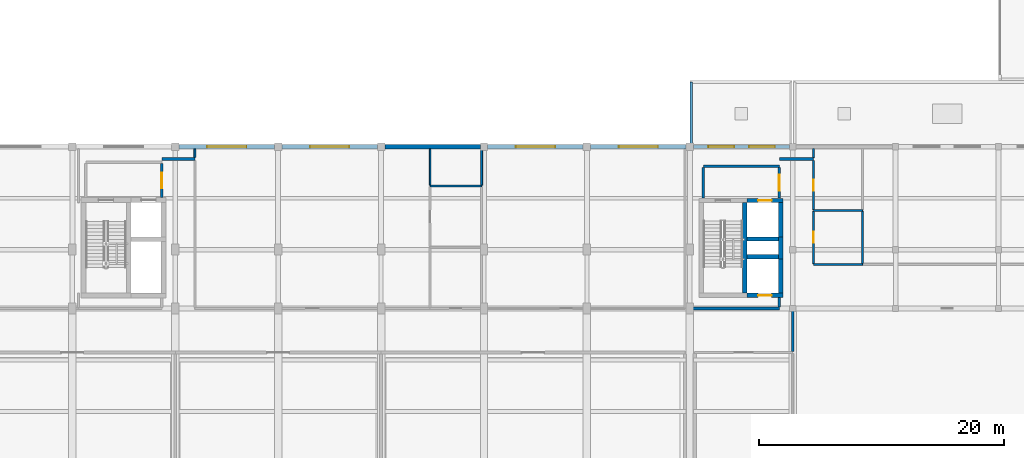
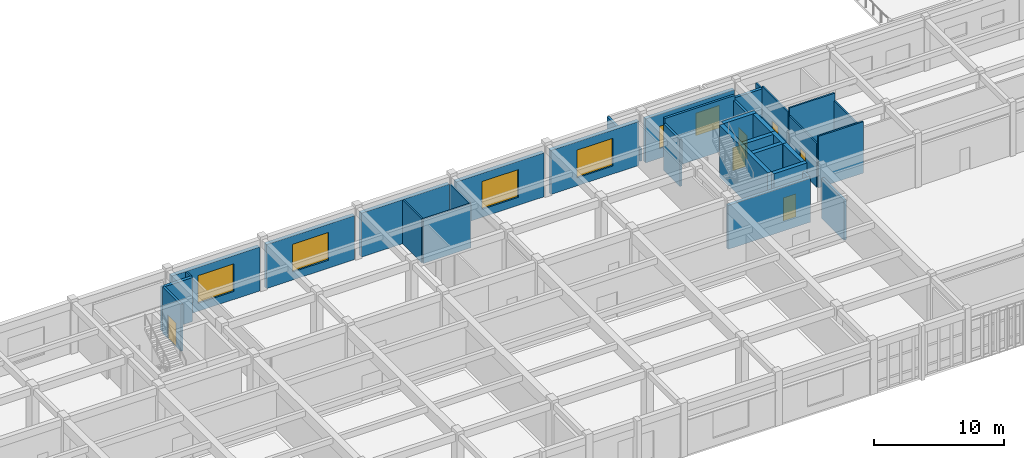
# One storey, part 75 of 93: 34 walls, 6 doors, 6 windows, 12 openings.
"""IFC4 building model written with IfcOpenShell, lengths in metres."""

from ifc_helpers import new_model, si_unit, direction, frame, frame_2d, origin, place, context, subcontext, project, spatial, rectangle, extrude, material, layer, layer_set, type_object, element, fill, save


model = new_model("IFC4")

# Units and contexts
model_context = context("Model", 3, precision=1e-05, world=origin(), true_north=direction((0.0, 1.0)))
body_context = subcontext(model_context, "Body", "Model", "MODEL_VIEW")
ifc_project = project(units=[si_unit("LENGTHUNIT", "METRE"), si_unit("AREAUNIT", "SQUARE_METRE"), si_unit("VOLUMEUNIT", "CUBIC_METRE"), si_unit("PLANEANGLEUNIT", "RADIAN"), si_unit("MASSUNIT", "GRAM", prefix="KILO")], contexts=[model_context])

# Site, building, storey
site_placement = place(None, origin())
site = spatial("IfcSite", under=ifc_project, at=site_placement, CompositionType="ELEMENT")
building_placement = place(site_placement, origin())
building = spatial("IfcBuilding", under=site, at=building_placement, Name="Krzemoval Escarpment Law Courts", CompositionType="ELEMENT")
storey_placement = place(building_placement, frame((0.0, 0.0, 10.199951171875)))
storey = spatial("IfcBuildingStorey", under=building, at=storey_placement, Name="L02", CompositionType="ELEMENT", Elevation=10.199951171875)

# Wall, openings, windows
ifc_material_1 = material(Name="Precast concrete C40/50", Category="concrete")
ifc_layer_1 = layer(ifc_material_1, 0.300048828125)
ifc_layer_set_1 = layer_set([ifc_layer_1], Name="Precast concrete C40/50")
wall_type_1 = type_object("IfcWallType", Name="WL-EXT-300", PredefinedType="SOLIDWALL", material=ifc_layer_set_1)
wall_1_placement = place(storey_placement, frame((109.5, 35.39990234375, 0.0), z_axis=(0.0, 0.0, 1.0), x_axis=(1.0, 0.0, 0.0)))
wall_1 = element("IfcWall", 1, at=wall_1_placement, inside=storey, type_object=wall_type_1, Name="Exterior Wall EW-L02-0284", PredefinedType="SOLIDWALL", context=body_context, shape_type="SweptSolid", body=[
    extrude(rectangle(XDim=7.85009765625, YDim=0.300048828125, at=frame_2d((3.925048828125, 0.0))), origin(), (0.0, 0.0, 1.0), 4.1201171875),
])
opening_1_placement = place(wall_1_placement, frame((1.217041015625, 0.0, 0.89990234375)))
opening_1 = element("IfcOpeningElement", 2, at=opening_1_placement, cuts=wall_1, Name="Opening WN-L02-0303", PredefinedType="OPENING", context=body_context, shape_type="SweptSolid", body=[
    extrude(rectangle(XDim=2.10009765625, YDim=2.10009765625, at=frame_2d((1.050048828125, 1.050048828125))), frame((0.0, 0.16502, 0.0), z_axis=(0.0, -1.0, 0.0), x_axis=(1.0, 0.0, 0.0)), (0.0, 0.0, 1.0), 0.33005),
])
opening_2_placement = place(wall_1_placement, frame((4.532958984375, 0.0, 0.89990234375)))
opening_2 = element("IfcOpeningElement", 3, at=opening_2_placement, cuts=wall_1, Name="Opening WN-L02-0304", PredefinedType="OPENING", context=body_context, shape_type="SweptSolid", body=[
    extrude(rectangle(XDim=2.10009765625, YDim=2.10009765625, at=frame_2d((1.050048828125, 1.050048828125))), frame((0.0, 0.16502, 0.0), z_axis=(0.0, -1.0, 0.0), x_axis=(1.0, 0.0, 0.0)), (0.0, 0.0, 1.0), 0.33005),
])
ifc_material_2 = material(Name="Thermally Broken Aluminium Frame with Triple Low-E Acoustic Glass", Category="aluminium")
window_type_1 = type_object("IfcWindowType", Name="WN-2100x2100", PartitioningType="SINGLE_PANEL", PredefinedType="WINDOW", material=ifc_material_2)
window_1_placement = place(opening_1_placement, origin())
window_1 = element("IfcWindow", 4, at=window_1_placement, inside=storey, type_object=window_type_1, Name="Facade Window WN-L02-0303", OverallHeight=2.10009765625, OverallWidth=2.10009765625, PartitioningType="SINGLE_PANEL", PredefinedType="WINDOW", context=body_context, shape_type="SweptSolid", body=[
    extrude(rectangle(XDim=2.10009765625, YDim=2.10009765625, at=frame_2d((1.050048828125, 1.050048828125))), frame((0.0, 0.030029296875, 0.0), z_axis=(0.0, -1.0, 0.0), x_axis=(1.0, 0.0, 0.0)), (0.0, 0.0, 1.0), 0.06005859375),
])
fill(opening_1, window_1)
window_2_placement = place(opening_2_placement, origin())
window_2 = element("IfcWindow", 5, at=window_2_placement, inside=storey, type_object=window_type_1, Name="Facade Window WN-L02-0304", OverallHeight=2.10009765625, OverallWidth=2.10009765625, PartitioningType="SINGLE_PANEL", PredefinedType="WINDOW", context=body_context, shape_type="SweptSolid", body=[
    extrude(rectangle(XDim=2.10009765625, YDim=2.10009765625, at=frame_2d((1.050048828125, 1.050048828125))), frame((0.0, 0.030029296875, 0.0), z_axis=(0.0, -1.0, 0.0), x_axis=(1.0, 0.0, 0.0)), (0.0, 0.0, 1.0), 0.06005859375),
])
fill(opening_2, window_2)

# Wall, opening, window
ifc_material_3 = material(Name="Precast concrete C40/50", Category="concrete")
ifc_layer_2 = layer(ifc_material_3, 0.340087890625)
ifc_layer_set_2 = layer_set([ifc_layer_2], Name="Precast concrete C40/50")
wall_type_2 = type_object("IfcWallType", Name="WL-EXT-340", PredefinedType="SOLIDWALL", material=ifc_layer_set_2)
wall_2_placement = place(storey_placement, frame((67.5, 35.39990234375, 0.0), z_axis=(0.0, 0.0, 1.0), x_axis=(1.0, 0.0, 0.0)))
wall_2 = element("IfcWall", 6, at=wall_2_placement, inside=storey, type_object=wall_type_2, Name="Exterior Wall EW-L02-0279", PredefinedType="SOLIDWALL", context=body_context, shape_type="SweptSolid", body=[
    extrude(rectangle(XDim=7.800048828125, YDim=0.340087890625, at=frame_2d((3.89990234375, 0.0))), origin(), (0.0, 0.0, 1.0), 4.1201171875),
])
opening_3_placement = place(wall_2_placement, frame((2.300048828125, 0.0, 0.75)))
opening_3 = element("IfcOpeningElement", 7, at=opening_3_placement, cuts=wall_2, Name="Opening WN-L02-0299", PredefinedType="OPENING", context=body_context, shape_type="SweptSolid", body=[
    extrude(rectangle(XDim=3.199951171875, YDim=2.60009765625, at=frame_2d((1.60009765625, 1.300048828125))), frame((0.0, 0.18504, 0.0), z_axis=(0.0, -1.0, 0.0), x_axis=(1.0, 0.0, 0.0)), (0.0, 0.0, 1.0), 0.37009),
])
ifc_material_4 = material(Name="Thermally Broken Aluminium Frame with Triple Low-E Acoustic Glass", Category="aluminium")
window_type_2 = type_object("IfcWindowType", Name="WN-3200x2600", PartitioningType="SINGLE_PANEL", PredefinedType="WINDOW", material=ifc_material_4)
window_3_placement = place(opening_3_placement, origin())
window_3 = element("IfcWindow", 8, at=window_3_placement, inside=storey, type_object=window_type_2, Name="Facade Window WN-L02-0299", OverallHeight=2.60009765625, OverallWidth=3.199951171875, PartitioningType="SINGLE_PANEL", PredefinedType="WINDOW", context=body_context, shape_type="SweptSolid", body=[
    extrude(rectangle(XDim=3.199951171875, YDim=2.60009765625, at=frame_2d((1.60009765625, 1.300048828125))), frame((0.0, 0.030029296875, 0.0), z_axis=(0.0, -1.0, 0.0), x_axis=(1.0, 0.0, 0.0)), (0.0, 0.0, 1.0), 0.06005859375),
])
fill(opening_3, window_3)

wall_3_placement = place(storey_placement, frame((75.89990234375, 35.39990234375, 0.0), z_axis=(0.0, 0.0, 1.0), x_axis=(1.0, 0.0, 0.0)))
wall_3 = element("IfcWall", 9, at=wall_3_placement, inside=storey, type_object=wall_type_2, Name="Exterior Wall EW-L02-0280", PredefinedType="SOLIDWALL", context=body_context, shape_type="SweptSolid", body=[
    extrude(rectangle(XDim=7.800048828125, YDim=0.340087890625, at=frame_2d((3.89990234375, 0.0))), origin(), (0.0, 0.0, 1.0), 4.1201171875),
])
opening_4_placement = place(wall_3_placement, frame((2.300048828125, 0.0, 0.75)))
opening_4 = element("IfcOpeningElement", 10, at=opening_4_placement, cuts=wall_3, Name="Opening WN-L02-0300", PredefinedType="OPENING", context=body_context, shape_type="SweptSolid", body=[
    extrude(rectangle(XDim=3.199951171875, YDim=2.60009765625, at=frame_2d((1.60009765625, 1.300048828125))), frame((0.0, 0.18504, 0.0), z_axis=(0.0, -1.0, 0.0), x_axis=(1.0, 0.0, 0.0)), (0.0, 0.0, 1.0), 0.37009),
])
window_4_placement = place(opening_4_placement, origin())
window_4 = element("IfcWindow", 11, at=window_4_placement, inside=storey, type_object=window_type_2, Name="Facade Window WN-L02-0300", OverallHeight=2.60009765625, OverallWidth=3.199951171875, PartitioningType="SINGLE_PANEL", PredefinedType="WINDOW", context=body_context, shape_type="SweptSolid", body=[
    extrude(rectangle(XDim=3.199951171875, YDim=2.60009765625, at=frame_2d((1.60009765625, 1.300048828125))), frame((0.0, 0.030029296875, 0.0), z_axis=(0.0, -1.0, 0.0), x_axis=(1.0, 0.0, 0.0)), (0.0, 0.0, 1.0), 0.06005859375),
])
fill(opening_4, window_4)

# Wall
wall_4_placement = place(storey_placement, frame((84.300048828125, 35.39990234375, 0.0), z_axis=(0.0, 0.0, 1.0), x_axis=(1.0, 0.0, 0.0)))
element("IfcWall", 12, at=wall_4_placement, inside=storey, type_object=wall_type_2, Name="Exterior Wall EW-L02-0281", PredefinedType="SOLIDWALL", context=body_context, shape_type="SweptSolid", body=[
    extrude(rectangle(XDim=7.800048828125, YDim=0.340087890625, at=frame_2d((3.89990234375, 0.0))), origin(), (0.0, 0.0, 1.0), 4.1201171875),
])

# Wall, opening, window
wall_5_placement = place(storey_placement, frame((92.699951171875, 35.39990234375, 0.0), z_axis=(0.0, 0.0, 1.0), x_axis=(1.0, 0.0, 0.0)))
wall_5 = element("IfcWall", 13, at=wall_5_placement, inside=storey, type_object=wall_type_2, Name="Exterior Wall EW-L02-0282", PredefinedType="SOLIDWALL", context=body_context, shape_type="SweptSolid", body=[
    extrude(rectangle(XDim=7.800048828125, YDim=0.340087890625, at=frame_2d((3.89990234375, 0.0))), origin(), (0.0, 0.0, 1.0), 4.1201171875),
])
opening_5_placement = place(wall_5_placement, frame((2.300048828125, 0.0, 0.75)))
opening_5 = element("IfcOpeningElement", 14, at=opening_5_placement, cuts=wall_5, Name="Opening WN-L02-0301", PredefinedType="OPENING", context=body_context, shape_type="SweptSolid", body=[
    extrude(rectangle(XDim=3.199951171875, YDim=2.60009765625, at=frame_2d((1.60009765625, 1.300048828125))), frame((0.0, 0.18504, 0.0), z_axis=(0.0, -1.0, 0.0), x_axis=(1.0, 0.0, 0.0)), (0.0, 0.0, 1.0), 0.37009),
])
window_5_placement = place(opening_5_placement, origin())
window_5 = element("IfcWindow", 15, at=window_5_placement, inside=storey, type_object=window_type_2, Name="Facade Window WN-L02-0301", OverallHeight=2.60009765625, OverallWidth=3.199951171875, PartitioningType="SINGLE_PANEL", PredefinedType="WINDOW", context=body_context, shape_type="SweptSolid", body=[
    extrude(rectangle(XDim=3.199951171875, YDim=2.60009765625, at=frame_2d((1.60009765625, 1.300048828125))), frame((0.0, 0.030029296875, 0.0), z_axis=(0.0, -1.0, 0.0), x_axis=(1.0, 0.0, 0.0)), (0.0, 0.0, 1.0), 0.06005859375),
])
fill(opening_5, window_5)

wall_6_placement = place(storey_placement, frame((101.10009765625, 35.39990234375, 0.0), z_axis=(0.0, 0.0, 1.0), x_axis=(1.0, 0.0, 0.0)))
wall_6 = element("IfcWall", 16, at=wall_6_placement, inside=storey, type_object=wall_type_2, Name="Exterior Wall EW-L02-0283", PredefinedType="SOLIDWALL", context=body_context, shape_type="SweptSolid", body=[
    extrude(rectangle(XDim=7.7998046875, YDim=0.340087890625, at=frame_2d((3.89990234375, 0.0))), origin(), (0.0, 0.0, 1.0), 4.1201171875),
])
opening_6_placement = place(wall_6_placement, frame((2.300048828125, 0.0, 0.75)))
opening_6 = element("IfcOpeningElement", 17, at=opening_6_placement, cuts=wall_6, Name="Opening WN-L02-0302", PredefinedType="OPENING", context=body_context, shape_type="SweptSolid", body=[
    extrude(rectangle(XDim=3.199951171875, YDim=2.60009765625, at=frame_2d((1.60009765625, 1.300048828125))), frame((0.0, 0.18504, 0.0), z_axis=(0.0, -1.0, 0.0), x_axis=(1.0, 0.0, 0.0)), (0.0, 0.0, 1.0), 0.37009),
])
window_6_placement = place(opening_6_placement, origin())
window_6 = element("IfcWindow", 18, at=window_6_placement, inside=storey, type_object=window_type_2, Name="Facade Window WN-L02-0302", OverallHeight=2.60009765625, OverallWidth=3.199951171875, PartitioningType="SINGLE_PANEL", PredefinedType="WINDOW", context=body_context, shape_type="SweptSolid", body=[
    extrude(rectangle(XDim=3.199951171875, YDim=2.60009765625, at=frame_2d((1.60009765625, 1.300048828125))), frame((0.0, 0.030029296875, 0.0), z_axis=(0.0, -1.0, 0.0), x_axis=(1.0, 0.0, 0.0)), (0.0, 0.0, 1.0), 0.06005859375),
])
fill(opening_6, window_6)

# Walls
ifc_material_5 = material(Name="Precast concrete C40/50", Category="concrete")
ifc_layer_3 = layer(ifc_material_5, 0.199951171875)
ifc_layer_set_3 = layer_set([ifc_layer_3], Name="Precast concrete C40/50")
wall_type_3 = type_object("IfcWallType", Name="WL-PAR-200", PredefinedType="PARAPET", material=ifc_layer_set_3)
wall_7_placement = place(storey_placement, frame((109.31005859375, 40.68994140625, 0.0), z_axis=(0.0, 0.0, 1.0), x_axis=(0.0, -1.0, 0.0)))
element("IfcWall", 19, at=wall_7_placement, inside=storey, type_object=wall_type_3, Name="Roof Parapet PR-L02-010", PredefinedType="PARAPET", context=body_context, shape_type="SweptSolid", body=[
    extrude(rectangle(XDim=5.0400390625, YDim=0.199951171875, at=frame_2d((2.52001953125, 0.0))), origin(), (0.0, 0.0, 1.0), 1.150146484375),
])
ifc_material_6 = material(Name="Standard Metal-Stud Gypsum Partition", Category="gypsum")
ifc_layer_4 = layer(ifc_material_6, 0.125)
ifc_layer_set_4 = layer_set([ifc_layer_4], Name="Standard Metal-Stud Gypsum Partition")
wall_type_4 = type_object("IfcWallType", Name="WL-PRT-125", PredefinedType="PARTITIONING", material=ifc_layer_set_4)
wall_8_placement = place(storey_placement, frame((88.0, 32.27197265625, 0.0), z_axis=(0.0, 0.0, 1.0), x_axis=(0.0, 1.0, 0.0)))
element("IfcWall", 20, at=wall_8_placement, inside=storey, type_object=wall_type_4, Name="Interior Partition PW-L02-0454", PredefinedType="PARTITIONING", context=body_context, shape_type="SweptSolid", body=[
    extrude(rectangle(XDim=2.9560546875, YDim=0.125, at=frame_2d((1.47802734375, 0.0))), origin(), (0.0, 0.0, 1.0), 4.1201171875),
])
ifc_material_7 = material(Name="Sanitary Moisture-Resistant Partition", Category="gypsum")
ifc_layer_5 = layer(ifc_material_7, 0.139892578125)
ifc_layer_set_5 = layer_set([ifc_layer_5], Name="Sanitary Moisture-Resistant Partition")
wall_type_5 = type_object("IfcWallType", Name="WL-PRT-140", PredefinedType="PARTITIONING", material=ifc_layer_set_5)
for number, where, z_axis, x_axis, name in (
    (21, (119.300048828125, 25.800048828125, 0.0), (0.0, 0.0, 1.0), (1.0, 0.0, 0.0), "Interior Partition PW-L02-0379"),
    (22, (119.300048828125, 30.199951171875, 0.0), (0.0, 0.0, 1.0), (1.0, 0.0, 0.0), "Interior Partition PW-L02-0384"),
):
    element("IfcWall", number, at=place(storey_placement, frame(where, z_axis=z_axis, x_axis=x_axis)), inside=storey, type_object=wall_type_5, Name=name, PredefinedType="PARTITIONING", context=body_context, shape_type="SweptSolid", body=[
        extrude(rectangle(XDim=4.0, YDim=0.139892578125, at=frame_2d((2.0, 0.0))), origin(), (0.0, 0.0, 1.0), 4.820068359375),
    ])
wall_9_placement = place(storey_placement, frame((88.0, 32.199951171875, 0.0), z_axis=(0.0, 0.0, 1.0), x_axis=(1.0, 0.0, 0.0)))
element("IfcWall", 23, at=wall_9_placement, inside=storey, type_object=wall_type_5, Name="Interior Partition PW-L02-0389", PredefinedType="PARTITIONING", context=body_context, shape_type="SweptSolid", body=[
    extrude(rectangle(XDim=4.199951171875, YDim=0.139892578125, at=frame_2d((2.10009765625, 0.0))), origin(), (0.0, 0.0, 1.0), 4.1201171875),
])

# Wall, opening, door
wall_10_placement = place(storey_placement, frame((119.300048828125, 25.8720703125, 0.0), z_axis=(0.0, 0.0, 1.0), x_axis=(0.0, 1.0, 0.0)))
wall_10 = element("IfcWall", 24, at=wall_10_placement, inside=storey, type_object=wall_type_5, Name="Interior Partition PW-L02-0469", PredefinedType="PARTITIONING", context=body_context, shape_type="SweptSolid", body=[
    extrude(rectangle(XDim=4.255859375, YDim=0.139892578125, at=frame_2d((2.1279296875, 0.0))), origin(), (0.0, 0.0, 1.0), 4.1201171875),
])
opening_7_placement = place(wall_10_placement, frame((1.677978515625, 0.0, 0.0)))
opening_7 = element("IfcOpeningElement", 25, at=opening_7_placement, cuts=wall_10, Name="Opening D-L02-0153", PredefinedType="OPENING", context=body_context, shape_type="SweptSolid", body=[
    extrude(rectangle(XDim=0.89990234375, YDim=2.10009765625, at=frame_2d((0.449951171875, 1.050048828125))), frame((0.0, 0.08495, 0.0), z_axis=(0.0, -1.0, 0.0), x_axis=(1.0, 0.0, 0.0)), (0.0, 0.0, 1.0), 0.16989),
])
ifc_material_8 = material(Name="Engineered Solid-Core Oak Acoustic Timber", Category="wood")
door_type_1 = type_object("IfcDoorType", Name="DR-INT-900x2100", OperationType="SINGLE_SWING_LEFT", PredefinedType="DOOR", material=ifc_material_8)
door_1_placement = place(opening_7_placement, origin())
door_1 = element("IfcDoor", 26, at=door_1_placement, inside=storey, type_object=door_type_1, Name="Room Door D-L02-0153", OperationType="SINGLE_SWING_RIGHT", OverallHeight=2.10009765625, OverallWidth=0.89990234375, PredefinedType="DOOR", context=body_context, shape_type="SweptSolid", body=[
    extrude(rectangle(XDim=0.89990234375, YDim=2.10009765625, at=frame_2d((0.449951171875, 1.050048828125))), frame((0.0, 0.02490234375, 0.0), z_axis=(0.0, -1.0, 0.0), x_axis=(1.0, 0.0, 0.0)), (0.0, 0.0, 1.0), 0.050048828125),
])
fill(opening_7, door_1)

wall_11_placement = place(storey_placement, frame((119.300048828125, 30.27197265625, 0.0), z_axis=(0.0, 0.0, 1.0), x_axis=(0.0, 1.0, 0.0)))
wall_11 = element("IfcWall", 27, at=wall_11_placement, inside=storey, type_object=wall_type_5, Name="Interior Partition PW-L02-0470", PredefinedType="PARTITIONING", context=body_context, shape_type="SweptSolid", body=[
    extrude(rectangle(XDim=4.006103515625, YDim=0.139892578125, at=frame_2d((2.0029296875, 0.0))), origin(), (0.0, 0.0, 1.0), 4.3701171875),
])
opening_8_placement = place(wall_11_placement, frame((1.552978515625, 0.0, 0.0)))
opening_8 = element("IfcOpeningElement", 28, at=opening_8_placement, cuts=wall_11, Name="Opening D-L02-0154", PredefinedType="OPENING", context=body_context, shape_type="SweptSolid", body=[
    extrude(rectangle(XDim=0.89990234375, YDim=2.10009765625, at=frame_2d((0.449951171875, 1.050048828125))), frame((0.0, 0.08495, 0.0), z_axis=(0.0, -1.0, 0.0), x_axis=(1.0, 0.0, 0.0)), (0.0, 0.0, 1.0), 0.16989),
])
door_2_placement = place(opening_8_placement, origin())
door_2 = element("IfcDoor", 29, at=door_2_placement, inside=storey, type_object=door_type_1, Name="Room Door D-L02-0154", OperationType="SINGLE_SWING_LEFT", OverallHeight=2.10009765625, OverallWidth=0.89990234375, PredefinedType="DOOR", context=body_context, shape_type="SweptSolid", body=[
    extrude(rectangle(XDim=0.89990234375, YDim=2.10009765625, at=frame_2d((0.449951171875, 1.050048828125))), frame((0.0, 0.02490234375, 0.0), z_axis=(0.0, -1.0, 0.0), x_axis=(1.0, 0.0, 0.0)), (0.0, 0.0, 1.0), 0.050048828125),
])
fill(opening_8, door_2)

# Walls
wall_12_placement = place(storey_placement, frame((119.300048828125, 34.52197265625, 0.0), z_axis=(0.0, 0.0, 1.0), x_axis=(0.0, 1.0, 0.0)))
element("IfcWall", 30, at=wall_12_placement, inside=storey, type_object=wall_type_5, Name="Interior Partition PW-L02-0471", PredefinedType="PARTITIONING", context=body_context, shape_type="SweptSolid", body=[
    extrude(rectangle(XDim=0.72607421875, YDim=0.139892578125, at=frame_2d((0.363037109375, 0.0))), origin(), (0.0, 0.0, 1.0), 4.1201171875),
])
wall_13_placement = place(storey_placement, frame((123.300048828125, 25.882080078125, 0.0), z_axis=(0.0, 0.0, 1.0), x_axis=(0.0, 1.0, 0.0)))
element("IfcWall", 31, at=wall_13_placement, inside=storey, type_object=wall_type_5, Name="Interior Partition PW-L02-0472", PredefinedType="PARTITIONING", context=body_context, shape_type="SweptSolid", body=[
    extrude(rectangle(XDim=4.245849609375, YDim=0.139892578125, at=frame_2d((2.123046875, 0.0))), origin(), (0.0, 0.0, 1.0), 4.1201171875),
])
ifc_material_9 = material(Name="Office Acoustic Partition Wall", Category="gypsum")
ifc_layer_6 = layer(ifc_material_9, 0.14990234375)
ifc_layer_set_6 = layer_set([ifc_layer_6], Name="Office Acoustic Partition Wall")
wall_type_6 = type_object("IfcWallType", Name="WL-PRT-150", PredefinedType="PARTITIONING", material=ifc_layer_set_6)
wall_14_placement = place(storey_placement, frame((68.800048828125, 34.531982421875, 0.0), z_axis=(0.0, 0.0, 1.0), x_axis=(0.0, 1.0, 0.0)))
element("IfcWall", 32, at=wall_14_placement, inside=storey, type_object=wall_type_6, Name="Interior Partition PW-L02-0452", PredefinedType="PARTITIONING", context=body_context, shape_type="SweptSolid", body=[
    extrude(rectangle(XDim=0.696044921875, YDim=0.14990234375, at=frame_2d((0.34814453125, 0.0))), origin(), (0.0, 0.0, 1.0), 4.1201171875),
])
ifc_material_10 = material(Name="Jury Suite Partition Assembly", Category="gypsum")
ifc_layer_7 = layer(ifc_material_10, 0.159912109375)
ifc_layer_set_7 = layer_set([ifc_layer_7], Name="Jury Suite Partition Assembly")
wall_type_7 = type_object("IfcWallType", Name="WL-PRT-160", PredefinedType="PARTITIONING", material=ifc_layer_set_7)
wall_15_placement = place(storey_placement, frame((92.199951171875, 32.27197265625, 0.0), z_axis=(0.0, 0.0, 1.0), x_axis=(0.0, 1.0, 0.0)))
element("IfcWall", 33, at=wall_15_placement, inside=storey, type_object=wall_type_7, Name="Interior Partition PW-L02-0459", PredefinedType="PARTITIONING", context=body_context, shape_type="SweptSolid", body=[
    extrude(rectangle(XDim=2.97509765625, YDim=0.159912109375, at=frame_2d((1.487548828125, 0.0))), origin(), (0.0, 0.0, 1.0), 4.1201171875),
])
ifc_material_11 = material(Name="Fire-Rated Corridor Partition Wall", Category="gypsum")
ifc_layer_8 = layer(ifc_material_11, 0.199951171875)
ifc_layer_set_8 = layer_set([ifc_layer_8], Name="Fire-Rated Corridor Partition Wall")
wall_type_8 = type_object("IfcWallType", Name="WL-PRT-200", PredefinedType="PARTITIONING", material=ifc_layer_set_8)
wall_16_placement = place(storey_placement, frame((110.300048828125, 33.800048828125, 0.0), z_axis=(0.0, 0.0, 1.0), x_axis=(1.0, 0.0, 0.0)))
element("IfcWall", 34, at=wall_16_placement, inside=storey, type_object=wall_type_8, Name="Interior Partition PW-L02-0390", PredefinedType="PARTITIONING", context=body_context, shape_type="SweptSolid", body=[
    extrude(rectangle(XDim=6.199951171875, YDim=0.199951171875, at=frame_2d((3.10009765625, 0.0))), origin(), (0.0, 0.0, 1.0), 4.820068359375),
])

# Wall, opening, door
wall_17_placement = place(storey_placement, frame((66.10009765625, 31.251953125, 0.0), z_axis=(0.0, 0.0, 1.0), x_axis=(0.0, 1.0, 0.0)))
wall_17 = element("IfcWall", 35, at=wall_17_placement, inside=storey, type_object=wall_type_8, Name="Interior Partition PW-L02-0448", PredefinedType="PARTITIONING", context=body_context, shape_type="SweptSolid", body=[
    extrude(rectangle(XDim=2.796142578125, YDim=0.199951171875, at=frame_2d((1.39794921875, 0.0))), origin(), (0.0, 0.0, 1.0), 4.3701171875),
])
opening_9_placement = place(wall_17_placement, frame((0.748046875, 0.0, 0.0)))
opening_9 = element("IfcOpeningElement", 36, at=opening_9_placement, cuts=wall_17, Name="Opening D-L02-0129", PredefinedType="OPENING", context=body_context, shape_type="SweptSolid", body=[
    extrude(rectangle(XDim=1.300048828125, YDim=2.199951171875, at=frame_2d((0.64990234375, 1.10009765625))), frame((0.0, 0.11498, 0.0), z_axis=(0.0, -1.0, 0.0), x_axis=(1.0, 0.0, 0.0)), (0.0, 0.0, 1.0), 0.22995),
])
ifc_material_12 = material(Name="Galvanised Steel S355", Category="steel")
door_type_2 = type_object("IfcDoorType", Name="DR-STR-1300x2200", OperationType="SINGLE_SWING_LEFT", PredefinedType="DOOR", material=ifc_material_12)
door_3_placement = place(opening_9_placement, origin())
door_3 = element("IfcDoor", 37, at=door_3_placement, inside=storey, type_object=door_type_2, Name="Room Door D-L02-0129", OperationType="SINGLE_SWING_RIGHT", OverallHeight=2.199951171875, OverallWidth=1.300048828125, PredefinedType="DOOR", context=body_context, shape_type="SweptSolid", body=[
    extrude(rectangle(XDim=1.300048828125, YDim=2.199951171875, at=frame_2d((0.64990234375, 1.10009765625))), frame((0.0, 0.02490234375, 0.0), z_axis=(0.0, -1.0, 0.0), x_axis=(1.0, 0.0, 0.0)), (0.0, 0.0, 1.0), 0.050048828125),
])
fill(opening_9, door_3)

# Wall
wall_18_placement = place(storey_placement, frame((110.300048828125, 31.201904296875, 0.0), z_axis=(0.0, 0.0, 1.0), x_axis=(0.0, 1.0, 0.0)))
element("IfcWall", 38, at=wall_18_placement, inside=storey, type_object=wall_type_8, Name="Interior Partition PW-L02-0463", PredefinedType="PARTITIONING", context=body_context, shape_type="SweptSolid", body=[
    extrude(rectangle(XDim=2.49609375, YDim=0.199951171875, at=frame_2d((1.248046875, 0.0))), origin(), (0.0, 0.0, 1.0), 4.3701171875),
])

# Wall, opening, door
wall_19_placement = place(storey_placement, frame((116.5, 31.201904296875, 0.0), z_axis=(0.0, 0.0, 1.0), x_axis=(0.0, 1.0, 0.0)))
wall_19 = element("IfcWall", 39, at=wall_19_placement, inside=storey, type_object=wall_type_8, Name="Interior Partition PW-L02-0464", PredefinedType="PARTITIONING", context=body_context, shape_type="SweptSolid", body=[
    extrude(rectangle(XDim=2.49609375, YDim=0.199951171875, at=frame_2d((1.248046875, 0.0))), origin(), (0.0, 0.0, 1.0), 4.3701171875),
])
opening_10_placement = place(wall_19_placement, frame((0.597900390625, 0.0, 0.0)))
opening_10 = element("IfcOpeningElement", 40, at=opening_10_placement, cuts=wall_19, Name="Opening D-L02-0131", PredefinedType="OPENING", context=body_context, shape_type="SweptSolid", body=[
    extrude(rectangle(XDim=1.300048828125, YDim=2.199951171875, at=frame_2d((0.64990234375, 1.10009765625))), frame((0.0, 0.11498, 0.0), z_axis=(0.0, -1.0, 0.0), x_axis=(1.0, 0.0, 0.0)), (0.0, 0.0, 1.0), 0.22995),
])
door_4_placement = place(opening_10_placement, origin())
door_4 = element("IfcDoor", 41, at=door_4_placement, inside=storey, type_object=door_type_2, Name="Room Door D-L02-0131", OperationType="SINGLE_SWING_RIGHT", OverallHeight=2.199951171875, OverallWidth=1.300048828125, PredefinedType="DOOR", context=body_context, shape_type="SweptSolid", body=[
    extrude(rectangle(XDim=1.300048828125, YDim=2.199951171875, at=frame_2d((0.64990234375, 1.10009765625))), frame((0.0, 0.02490234375, 0.0), z_axis=(0.0, -1.0, 0.0), x_axis=(1.0, 0.0, 0.0)), (0.0, 0.0, 1.0), 0.050048828125),
])
fill(opening_10, door_4)

# Walls
ifc_material_13 = material(Name="Solid Calcium-Silicate Custody Blockwork Partition", Category="masonry")
ifc_layer_9 = layer(ifc_material_13, 0.219970703125)
ifc_layer_set_9 = layer_set([ifc_layer_9], Name="Solid Calcium-Silicate Custody Blockwork Partition")
wall_type_9 = type_object("IfcWallType", Name="WL-PRT-220", PredefinedType="PARTITIONING", material=ifc_layer_set_9)
wall_20_placement = place(storey_placement, frame((116.5, 22.33203125, 0.0), z_axis=(0.0, 0.0, 1.0), x_axis=(0.0, 1.0, 0.0)))
element("IfcWall", 42, at=wall_20_placement, inside=storey, type_object=wall_type_9, Name="Interior Partition PW-L02-0465", PredefinedType="PARTITIONING", context=body_context, shape_type="SweptSolid", body=[
    extrude(rectangle(XDim=0.765869140625, YDim=0.219970703125, at=frame_2d((0.3828125, 0.0))), origin(), (0.0, 0.0, 1.0), 4.1201171875),
])
wall_21_placement = place(storey_placement, frame((117.60009765625, 18.681884765625, 0.0), z_axis=(0.0, 0.0, 1.0), x_axis=(0.0, 1.0, 0.0)))
element("IfcWall", 43, at=wall_21_placement, inside=storey, type_object=wall_type_9, Name="Interior Partition PW-L02-0466", PredefinedType="PARTITIONING", context=body_context, shape_type="SweptSolid", body=[
    extrude(rectangle(XDim=3.406005859375, YDim=0.219970703125, at=frame_2d((1.703125, 0.0))), origin(), (0.0, 0.0, 1.0), 3.77001953125),
])
ifc_material_14 = material(Name="Acoustic Courtroom Partition Assembly", Category="gypsum")
ifc_layer_10 = layer(ifc_material_14, 0.239990234375)
ifc_layer_set_10 = layer_set([ifc_layer_10], Name="Acoustic Courtroom Partition Assembly")
wall_type_10 = type_object("IfcWallType", Name="WL-PRT-240", PredefinedType="PARTITIONING", material=ifc_layer_set_10)
wall_22_placement = place(storey_placement, frame((116.5, 34.39990234375, 0.0), z_axis=(0.0, 0.0, 1.0), x_axis=(1.0, 0.0, 0.0)))
element("IfcWall", 44, at=wall_22_placement, inside=storey, type_object=wall_type_10, Name="Interior Partition PW-L02-0393", PredefinedType="PARTITIONING", context=body_context, shape_type="SweptSolid", body=[
    extrude(rectangle(XDim=2.800048828125, YDim=0.239990234375, at=frame_2d((1.39990234375, 0.0))), origin(), (0.0, 0.0, 1.0), 4.1201171875),
])
ifc_material_15 = material(Name="Acoustic Double-Stud Gypsum and Mineral Wool Wall", Category="gypsum")
ifc_layer_11 = layer(ifc_material_15, 0.260009765625)
ifc_layer_set_11 = layer_set([ifc_layer_11], Name="Acoustic Double-Stud Gypsum and Mineral Wool Wall")
wall_type_11 = type_object("IfcWallType", Name="WL-PRT-260", PredefinedType="PARTITIONING", material=ifc_layer_set_11)
wall_23_placement = place(storey_placement, frame((109.199951171875, 22.199951171875, 0.0), z_axis=(0.0, 0.0, 1.0), x_axis=(1.0, 0.0, 0.0)))
element("IfcWall", 45, at=wall_23_placement, inside=storey, type_object=wall_type_11, Name="Interior Partition PW-L02-0376", PredefinedType="PARTITIONING", context=body_context, shape_type="SweptSolid", body=[
    extrude(rectangle(XDim=7.300048828125, YDim=0.260009765625, at=frame_2d((3.64990234375, 0.0))), origin(), (0.0, 0.0, 1.0), 4.1201171875),
])
wall_24_placement = place(storey_placement, frame((66.10009765625, 34.39990234375, 0.0), z_axis=(0.0, 0.0, 1.0), x_axis=(1.0, 0.0, 0.0)))
element("IfcWall", 46, at=wall_24_placement, inside=storey, type_object=wall_type_11, Name="Interior Partition PW-L02-0392", PredefinedType="PARTITIONING", context=body_context, shape_type="SweptSolid", body=[
    extrude(rectangle(XDim=2.699951171875, YDim=0.260009765625, at=frame_2d((1.35009765625, 0.0))), origin(), (0.0, 0.0, 1.0), 4.1201171875),
])
ifc_material_16 = material(Name="Concrete C40/50", Category="concrete")
ifc_layer_12 = layer(ifc_material_16, 0.35009765625)
ifc_layer_set_12 = layer_set([ifc_layer_12], Name="Concrete C40/50")
wall_type_12 = type_object("IfcWallType", Name="WL-SHW-350", PredefinedType="SHEAR", material=ifc_layer_set_12)
wall_25_placement = place(storey_placement, frame((113.675048828125, 23.451904296875, 0.0), z_axis=(0.0, 0.0, 1.0), x_axis=(0.0, 1.0, 0.0)))
element("IfcWall", 47, at=wall_25_placement, inside=storey, type_object=wall_type_12, Name="Core Stair Shear Wall SW-L02-0576", PredefinedType="SHEAR", context=body_context, shape_type="SweptSolid", body=[
    extrude(rectangle(XDim=7.39599609375, YDim=0.35009765625, at=frame_2d((3.697998046875, 0.0))), origin(), (0.0, 0.0, 1.0), 4.820068359375),
])

# Wall, opening, door
wall_26_placement = place(storey_placement, frame((113.85009765625, 23.27490234375, 0.0), z_axis=(0.0, 0.0, 1.0), x_axis=(1.0, 0.0, 0.0)))
wall_26 = element("IfcWall", 48, at=wall_26_placement, inside=storey, type_object=wall_type_12, Name="Lift Shaft Shear Wall SW-L02-0577", PredefinedType="SHEAR", context=body_context, shape_type="SweptSolid", body=[
    extrude(rectangle(XDim=2.949951171875, YDim=0.35009765625, at=frame_2d((1.47509765625, 0.0))), origin(), (0.0, 0.0, 1.0), 4.820068359375),
])
opening_11_placement = place(wall_26_placement, frame((0.925048828125, 0.0, 0.0)))
opening_11 = element("IfcOpeningElement", 49, at=opening_11_placement, cuts=wall_26, Name="Opening LD-CL1-L02", PredefinedType="OPENING", context=body_context, shape_type="SweptSolid", body=[
    extrude(rectangle(XDim=1.10009765625, YDim=2.14990234375, at=frame_2d((0.550048828125, 1.074951171875))), frame((0.0, 0.19005, 0.0), z_axis=(0.0, -1.0, 0.0), x_axis=(1.0, 0.0, 0.0)), (0.0, 0.0, 1.0), 0.3801),
])
ifc_material_17 = material(Name="Stainless Steel Grade 304", Category="steel")
door_type_3 = type_object("IfcDoorType", Name="DR-LFT-1100x2150", OperationType="SINGLE_SWING_LEFT", PredefinedType="DOOR", material=ifc_material_17)
door_5_placement = place(opening_11_placement, origin())
door_5 = element("IfcDoor", 50, at=door_5_placement, inside=storey, type_object=door_type_3, Name="Lift Landing Door LD-CL1-L02", OperationType="DOUBLE_DOOR_SLIDING", OverallHeight=2.14990234375, OverallWidth=1.10009765625, PredefinedType="DOOR", context=body_context, shape_type="SweptSolid", body=[
    extrude(rectangle(XDim=1.10009765625, YDim=2.14990234375, at=frame_2d((0.550048828125, 1.074951171875))), frame((0.0, 0.02490234375, 0.0), z_axis=(0.0, -1.0, 0.0), x_axis=(1.0, 0.0, 0.0)), (0.0, 0.0, 1.0), 0.050048828125),
])
fill(opening_11, door_5)

# Walls
wall_27_placement = place(storey_placement, frame((113.85205078125, 26.425048828125, 0.0), z_axis=(0.0, 0.0, 1.0), x_axis=(1.0, 0.0, 0.0)))
element("IfcWall", 51, at=wall_27_placement, inside=storey, type_object=wall_type_12, Name="Lift Shaft Shear Wall SW-L02-0578", PredefinedType="SHEAR", context=body_context, shape_type="SweptSolid", body=[
    extrude(rectangle(XDim=2.947998046875, YDim=0.35009765625, at=frame_2d((1.47412109375, 0.0))), origin(), (0.0, 0.0, 1.0), 4.820068359375),
])
wall_28_placement = place(storey_placement, frame((116.625, 23.451904296875, 0.0), z_axis=(0.0, 0.0, 1.0), x_axis=(0.0, 1.0, 0.0)))
element("IfcWall", 52, at=wall_28_placement, inside=storey, type_object=wall_type_12, Name="Lift Shaft Shear Wall SW-L02-0579", PredefinedType="SHEAR", context=body_context, shape_type="SweptSolid", body=[
    extrude(rectangle(XDim=2.796142578125, YDim=0.35009765625, at=frame_2d((1.39794921875, 0.0))), origin(), (0.0, 0.0, 1.0), 4.820068359375),
])
wall_29_placement = place(storey_placement, frame((113.85205078125, 27.875, 0.0), z_axis=(0.0, 0.0, 1.0), x_axis=(1.0, 0.0, 0.0)))
element("IfcWall", 53, at=wall_29_placement, inside=storey, type_object=wall_type_12, Name="Lift Shaft Shear Wall SW-L02-0580", PredefinedType="SHEAR", context=body_context, shape_type="SweptSolid", body=[
    extrude(rectangle(XDim=2.947998046875, YDim=0.35009765625, at=frame_2d((1.47412109375, 0.0))), origin(), (0.0, 0.0, 1.0), 4.820068359375),
])

# Wall, opening, door
wall_30_placement = place(storey_placement, frame((113.85009765625, 31.02490234375, 0.0), z_axis=(0.0, 0.0, 1.0), x_axis=(1.0, 0.0, 0.0)))
wall_30 = element("IfcWall", 54, at=wall_30_placement, inside=storey, type_object=wall_type_12, Name="Lift Shaft Shear Wall SW-L02-0581", PredefinedType="SHEAR", context=body_context, shape_type="SweptSolid", body=[
    extrude(rectangle(XDim=2.949951171875, YDim=0.35009765625, at=frame_2d((1.47509765625, 0.0))), origin(), (0.0, 0.0, 1.0), 4.820068359375),
])
opening_12_placement = place(wall_30_placement, frame((0.925048828125, 0.0, 0.0)))
opening_12 = element("IfcOpeningElement", 55, at=opening_12_placement, cuts=wall_30, Name="Opening LD-CL2-L02", PredefinedType="OPENING", context=body_context, shape_type="SweptSolid", body=[
    extrude(rectangle(XDim=1.10009765625, YDim=2.14990234375, at=frame_2d((0.550048828125, 1.074951171875))), frame((0.0, 0.19005, 0.0), z_axis=(0.0, -1.0, 0.0), x_axis=(1.0, 0.0, 0.0)), (0.0, 0.0, 1.0), 0.3801),
])
door_6_placement = place(opening_12_placement, origin())
door_6 = element("IfcDoor", 56, at=door_6_placement, inside=storey, type_object=door_type_3, Name="Lift Landing Door LD-CL2-L02", OperationType="DOUBLE_DOOR_SLIDING", OverallHeight=2.14990234375, OverallWidth=1.10009765625, PredefinedType="DOOR", context=body_context, shape_type="SweptSolid", body=[
    extrude(rectangle(XDim=1.10009765625, YDim=2.14990234375, at=frame_2d((0.550048828125, 1.074951171875))), frame((0.0, 0.02490234375, 0.0), z_axis=(0.0, -1.0, 0.0), x_axis=(1.0, 0.0, 0.0)), (0.0, 0.0, 1.0), 0.050048828125),
])
fill(opening_12, door_6)

# Walls
wall_31_placement = place(storey_placement, frame((116.625, 28.052001953125, 0.0), z_axis=(0.0, 0.0, 1.0), x_axis=(0.0, 1.0, 0.0)))
element("IfcWall", 57, at=wall_31_placement, inside=storey, type_object=wall_type_12, Name="Lift Shaft Shear Wall SW-L02-0582", PredefinedType="SHEAR", context=body_context, shape_type="SweptSolid", body=[
    extrude(rectangle(XDim=2.7958984375, YDim=0.35009765625, at=frame_2d((1.39794921875, 0.0))), origin(), (0.0, 0.0, 1.0), 4.820068359375),
])
wall_32_placement = place(storey_placement, frame((116.625, 26.242919921875, 0.0), z_axis=(0.0, 0.0, 1.0), x_axis=(0.0, 1.0, 0.0)))
element("IfcWall", 58, at=wall_32_placement, inside=storey, type_object=wall_type_12, Name="Riser Shaft Wall SW-L02-0583", PredefinedType="SHEAR", context=body_context, shape_type="SweptSolid", body=[
    extrude(rectangle(XDim=1.81396484375, YDim=0.35009765625, at=frame_2d((0.906982421875, 0.0))), origin(), (0.0, 0.0, 1.0), 4.820068359375),
])

save(model, "model.ifc")
